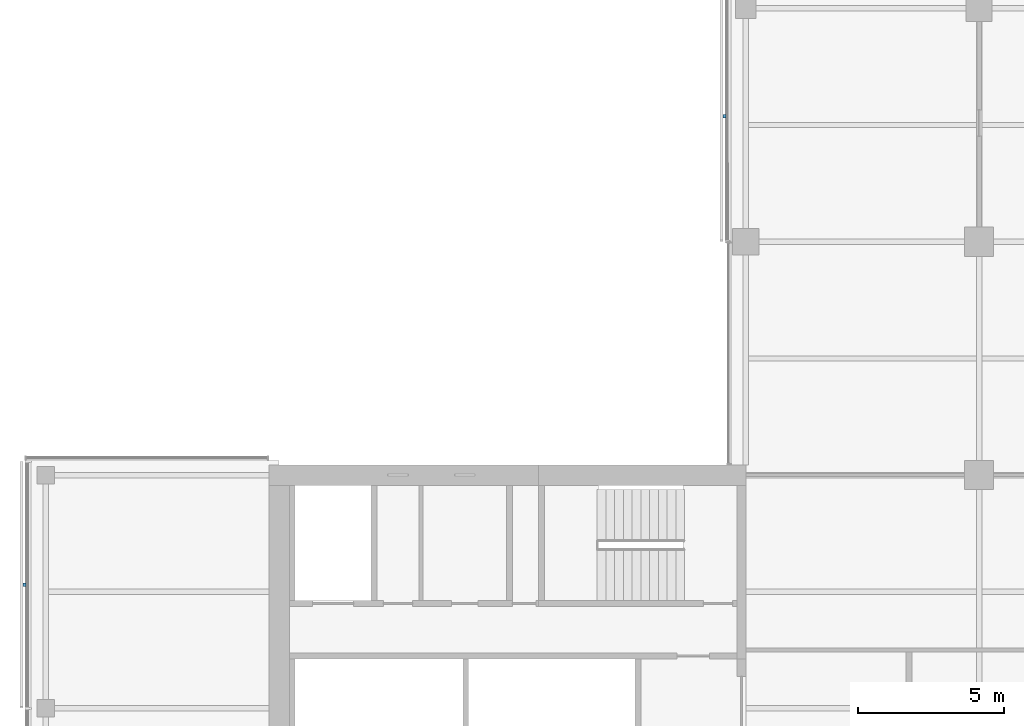
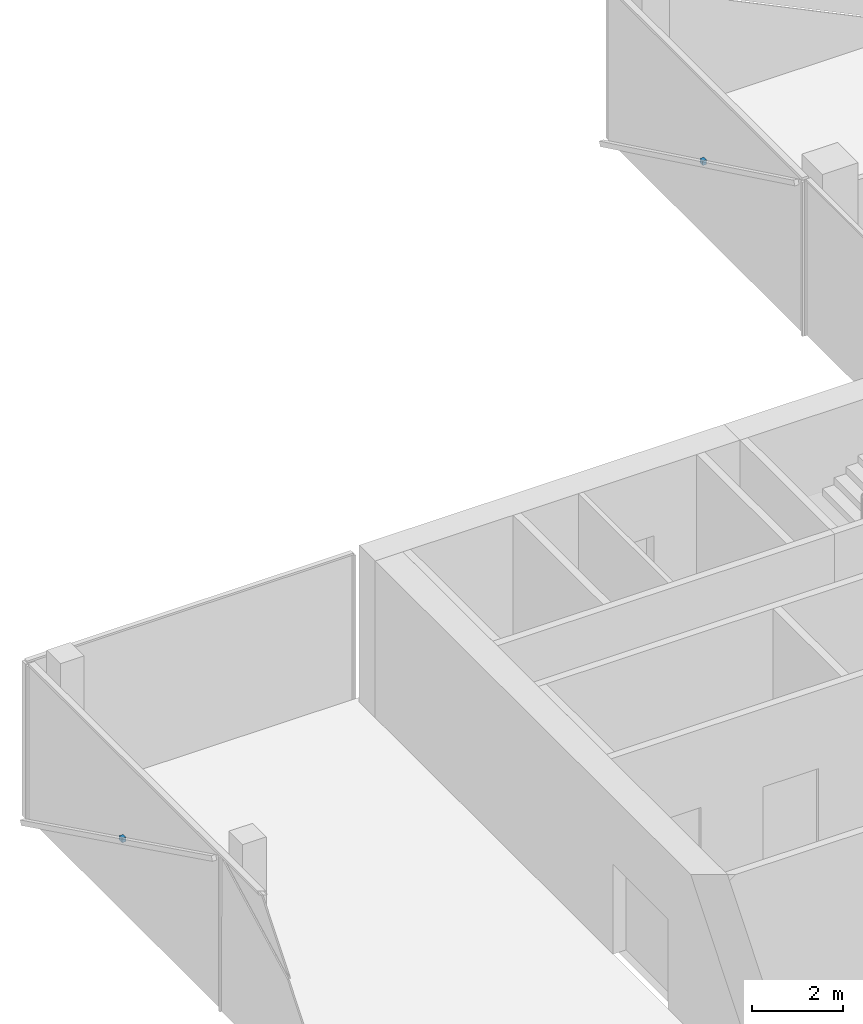
# One storey, part 19 of 22: 2 discrete accessories.
"""IFC4 building model written with IfcOpenShell, lengths in metres."""

import ifcopenshell
import ifcopenshell.guid

model = None  # the IFC model being written
_history = None  # IfcOwnerHistory: only IFC2X3 demands one
_inside = {}  # id of a spatial element -> (the spatial element, [elements in it])
_under = {}  # id of a project, library or spatial element -> (it, [spatial elements below it])
_declared = {}  # id of a project -> (the project, [libraries it declares])
_typed = {}  # id of a type object -> (the type object, [elements of that type])
_made_of = {}  # id of a material, layer set ... -> (it, [elements and type objects made of it])


def new_model(schema):
    """Start an empty IFC model of exactly this schema.

    Asked for "IFC4X3", IfcOpenShell would pick the latest addendum, in which some entities
    have other attributes; the version numbers below select the first issue.
    IFC2X3 requires an IfcOwnerHistory on every rooted entity: one is made here for all.
    """
    global model, _history
    if schema == "IFC4X3":
        model = ifcopenshell.file(schema_version=(4, 3, 0, 0))
    else:
        model = ifcopenshell.file(schema=schema)
    _inside.clear()
    _under.clear()
    _declared.clear()
    _typed.clear()
    _made_of.clear()
    _history = None
    if model.schema == "IFC2X3":
        org = make("IfcOrganization", Name="unknown")
        user = make(
            "IfcPersonAndOrganization",
            ThePerson=make("IfcPerson", FamilyName="unknown"),
            TheOrganization=org,
        )
        app = make(
            "IfcApplication",
            ApplicationDeveloper=org,
            Version="unknown",
            ApplicationFullName="unknown",
            ApplicationIdentifier="unknown",
        )
        _history = make(
            "IfcOwnerHistory",
            OwningUser=user,
            OwningApplication=app,
            ChangeAction="ADDED",
            CreationDate=0,
        )
    return model


def make(cls, **values):
    """One entity of the class cls with the attributes given. An attribute that is None is left unset."""
    return model.create_entity(
        cls, **{name: value for name, value in values.items() if value is not None}
    )


def rooted(cls, **values):
    """An entity with a GlobalId (a new one), such as an element, a storey or a relation."""
    return make(cls, GlobalId=ifcopenshell.guid.new(), OwnerHistory=_history, **values)


def si_unit(unit_type, name, prefix=None):
    """IfcSIUnit, for example si_unit("LENGTHUNIT", "METRE", prefix="MILLI")."""
    return make("IfcSIUnit", UnitType=unit_type, Prefix=prefix, Name=name)


def assignment(units):
    """IfcUnitAssignment: the units of a project."""
    return None if units is None else make("IfcUnitAssignment", Units=units)


def point(xyz):
    """IfcCartesianPoint."""
    return None if xyz is None else make("IfcCartesianPoint", Coordinates=xyz)


def direction(xyz):
    """IfcDirection."""
    return None if xyz is None else make("IfcDirection", DirectionRatios=xyz)


def frame(location, z_axis=None, x_axis=None):
    """IfcAxis2Placement3D, a coordinate frame: its origin and axes. An axis left out is left unset."""
    return make(
        "IfcAxis2Placement3D",
        Location=point(location),
        Axis=direction(z_axis),
        RefDirection=direction(x_axis),
    )


def frame_2d(location, x_axis=None):
    """IfcAxis2Placement2D, a coordinate frame in the plane: its origin and x axis."""
    return make(
        "IfcAxis2Placement2D", Location=point(location), RefDirection=direction(x_axis)
    )


def origin():
    """The frame at (0, 0, 0) with its axes left unset."""
    return frame((0.0, 0.0, 0.0))


def origin_2d():
    """The frame at (0, 0) in the plane with its x axis left unset."""
    return frame_2d((0.0, 0.0))


def place(relative_to, where):
    """IfcLocalPlacement: puts the frame where relative to a parent placement (None: the world)."""
    return make(
        "IfcLocalPlacement", PlacementRelTo=relative_to, RelativePlacement=where
    )


def context(
    kind, dimensions, precision=None, world=None, true_north=None, identifier=None
):
    """IfcGeometricRepresentationContext, for example the 3D "Model" context."""
    return make(
        "IfcGeometricRepresentationContext",
        ContextIdentifier=identifier,
        ContextType=kind,
        CoordinateSpaceDimension=dimensions,
        Precision=precision,
        WorldCoordinateSystem=world,
        TrueNorth=true_north,
    )


def subcontext(parent, identifier, kind, view, scale=None):
    """IfcGeometricRepresentationSubContext, for example "Body" below "Model"."""
    return make(
        "IfcGeometricRepresentationSubContext",
        ContextIdentifier=identifier,
        ContextType=kind,
        ParentContext=parent,
        TargetScale=scale,
        TargetView=view,
    )


def project(units=None, contexts=None):
    """IfcProject with its units and contexts."""
    return rooted(
        "IfcProject",
        Name="project",
        RepresentationContexts=contexts,
        UnitsInContext=assignment(units),
    )


def spatial(cls, under=None, at=None, **own):
    """A site, building, storey or space (cls), placed at a placement, below another one or the project."""
    s = rooted(cls, ObjectPlacement=at, **own)
    if under is not None:
        _under.setdefault(under.id(), (under, []))[1].append(s)
    return s


def profile(cls, at=None, kind="AREA", **sizes):
    """A parametric profile (cls). Its sizes go by their IFC names, for example OverallWidth=200.0."""
    return make(cls, ProfileType=kind, Position=at, **sizes)


def rectangle(**sizes):
    """IfcRectangleProfileDef."""
    return profile("IfcRectangleProfileDef", **sizes)


def extrude(swept, where, along, depth):
    """IfcExtrudedAreaSolid: the profile swept, set in the frame where, extruded along a direction by depth."""
    return make(
        "IfcExtrudedAreaSolid",
        SweptArea=swept,
        Position=where,
        ExtrudedDirection=direction(along),
        Depth=depth,
    )


def shape(context_of_items, identifier, shape_type, items):
    """IfcShapeRepresentation: the items that make up one representation, for example the "Body"."""
    return make(
        "IfcShapeRepresentation",
        ContextOfItems=context_of_items,
        RepresentationIdentifier=identifier,
        RepresentationType=shape_type,
        Items=items,
    )


def material(Name=None, Category=None):
    """IfcMaterial."""
    return make("IfcMaterial", Name=Name, Category=Category)


def made_of(thing, what):
    """Note that an element or type object is made of a material, layer set ...; save() writes the relation."""
    if what is not None:
        _made_of.setdefault(what.id(), (what, []))[1].append(thing)
    return thing


def type_object(cls, material=None, **own):
    """A type object (cls), such as IfcWallType, which elements share."""
    return made_of(rooted(cls, **own), material)


def element(
    cls,
    number,
    at=None,
    inside=None,
    cuts=None,
    type_object=None,
    material=None,
    context=None,
    identifier="Body",
    shape_type=None,
    held_by="IfcProductDefinitionShape",
    body=None,
    shapes=None,
    **own,
):
    """One element of the class cls, such as IfcWall. Its Tag is "e" and its number.

    at: its placement. inside: the storey or other place that contains it. cuts: it is an
    opening in that element (IfcRelVoidsElement). A single representation is given by context,
    identifier, shape_type and body (its items); several are given by shapes. held_by: the class
    of the entity that holds the representations. save() writes the other relations.
    """
    e = rooted(cls, Tag="e%d" % number, ObjectPlacement=at, **own)
    if body is not None:
        shapes = [shape(context, identifier, shape_type, body)]
    if shapes is not None:
        e.Representation = make(held_by, Representations=shapes)
    if inside is not None:
        _inside.setdefault(inside.id(), (inside, []))[1].append(e)
    if cuts is not None:
        rooted(
            "IfcRelVoidsElement", RelatingBuildingElement=cuts, RelatedOpeningElement=e
        )
    if type_object is not None:
        _typed.setdefault(type_object.id(), (type_object, []))[1].append(e)
    return made_of(e, material)


def aggregate(whole, parts):
    """IfcRelAggregates: a whole, such as a stair, and the parts it consists of."""
    return rooted("IfcRelAggregates", RelatingObject=whole, RelatedObjects=parts)


def save(model, path):
    """Write the relations noted so far, then the file.

    IfcRelAggregates (storeys below a building ...), IfcRelContainedInSpatialStructure (elements
    in a storey), IfcRelDefinesByType, IfcRelAssociatesMaterial and IfcRelDeclares: one each for
    every whole, place, type object, material and project.
    """
    for whole, parts in _under.values():
        aggregate(whole, parts)
    for where, things in _inside.values():
        rooted(
            "IfcRelContainedInSpatialStructure",
            RelatedElements=things,
            RelatingStructure=where,
        )
    for kind, things in _typed.values():
        rooted("IfcRelDefinesByType", RelatedObjects=things, RelatingType=kind)
    for what, things in _made_of.values():
        rooted("IfcRelAssociatesMaterial", RelatedObjects=things, RelatingMaterial=what)
    for by, libraries in _declared.values():
        rooted("IfcRelDeclares", RelatingContext=by, RelatedDefinitions=libraries)
    model.write(path)


model = new_model("IFC4")

# Units and contexts
model_context = context("Model", 3, precision=1e-05, world=origin(), true_north=direction((0.0, 1.0)))
body_context = subcontext(model_context, "Body", "Model", "MODEL_VIEW")
ifc_project = project(units=[si_unit("LENGTHUNIT", "METRE"), si_unit("AREAUNIT", "SQUARE_METRE"), si_unit("VOLUMEUNIT", "CUBIC_METRE"), si_unit("PLANEANGLEUNIT", "RADIAN"), si_unit("MASSUNIT", "GRAM", prefix="KILO")], contexts=[model_context])

# Site, building, storey
site_placement = place(None, origin())
site = spatial("IfcSite", under=ifc_project, at=site_placement, CompositionType="ELEMENT")
building_placement = place(site_placement, origin())
building = spatial("IfcBuilding", under=site, at=building_placement, Name="Crosswind Convention Tower", CompositionType="ELEMENT")
storey_placement = place(building_placement, frame((0.0, 0.0, 137.89990234375)))
storey = spatial("IfcBuildingStorey", under=building, at=storey_placement, Name="L28", CompositionType="ELEMENT", Elevation=137.89990234375)

# Discrete accessories
ifc_material = material(Name="Stainless steel", Category="steel")
discrete_accessory_type = type_object("IfcDiscreteAccessoryType", Name="BAGUETTE BRACKET BK3", PredefinedType="BRACKET", material=ifc_material)
for number, where, z_axis, x_axis, name in (
    (1, (112.27392578125, 124.304931640625, 1.705078125), (0.0, 0.0, 1.0), (0.0, -1.0, 0.0), "BK3 baguette bracket"),
    (2, (88.27392578125, 108.232421875, 1.705078125), (0.0, 0.0, 1.0), (0.0, -1.0, 0.0), "BK3 baguette bracket"),
):
    element("IfcDiscreteAccessory", number, at=place(storey_placement, frame(where, z_axis=z_axis, x_axis=x_axis)), inside=storey, type_object=discrete_accessory_type, Name=name, PredefinedType="BRACKET", context=body_context, shape_type="SweptSolid", body=[
        extrude(rectangle(XDim=0.1201171875, YDim=0.10009765625, at=origin_2d()), origin(), (0.0, 0.0, 1.0), 0.1201171875),
    ])

save(model, "model.ifc")
